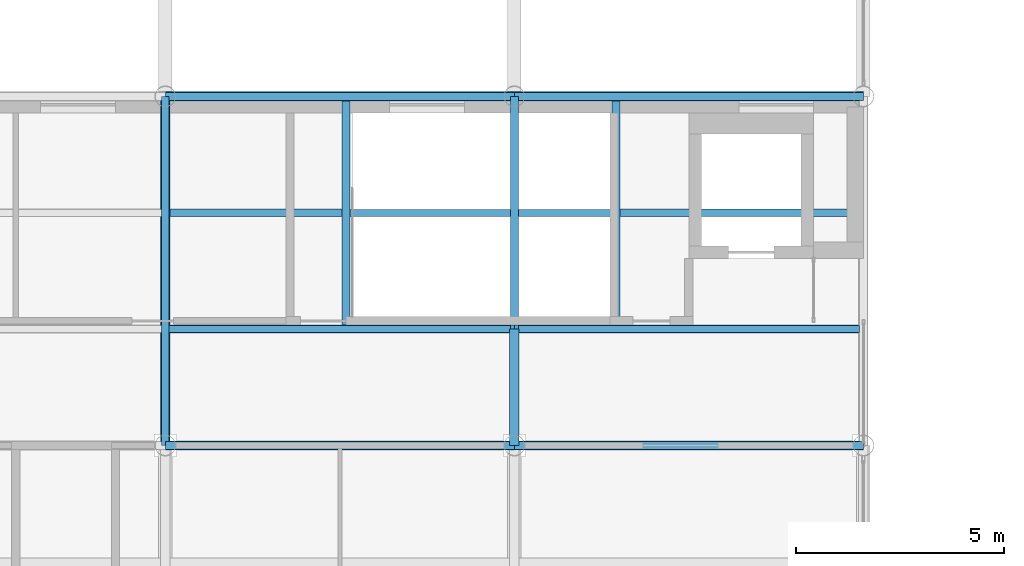
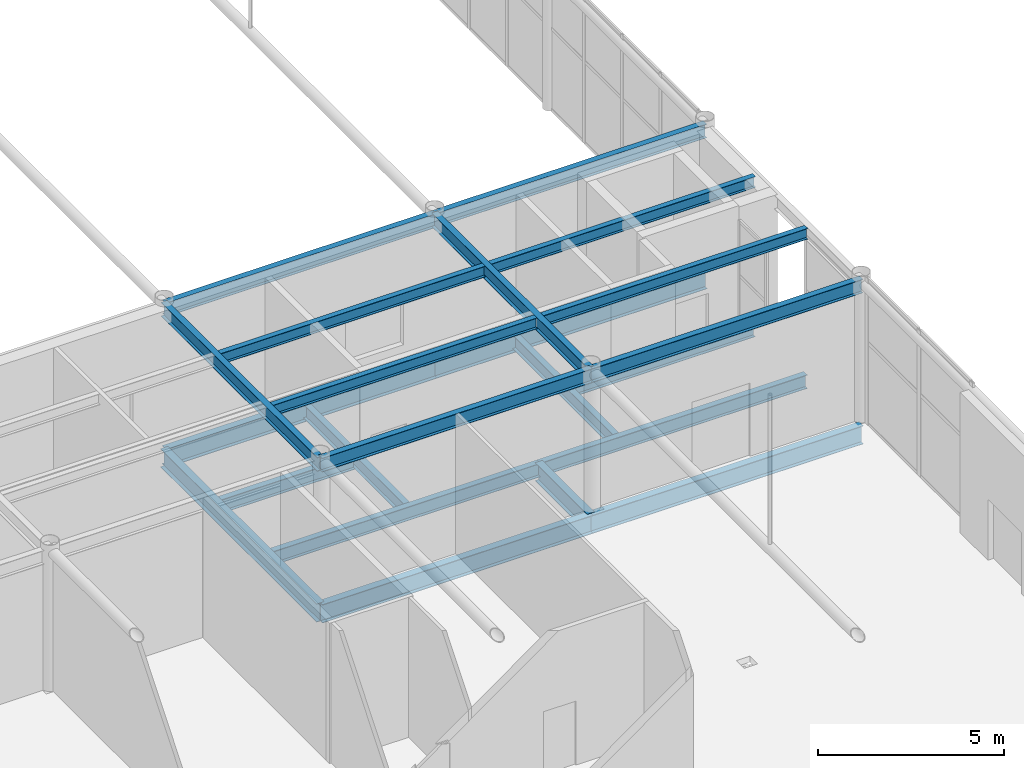
# One storey, part 96 of 167: 22 beams.
"""IFC4 building model written with IfcOpenShell, lengths in metres."""

from ifc_helpers import new_model, si_unit, direction, frame, origin, origin_2d, place, context, subcontext, project, spatial, i_section, extrude, material, material_profile, profile_set, type_object, element, save


model = new_model("IFC4")

# Units and contexts
model_context = context("Model", 3, precision=1e-05, world=origin(), true_north=direction((0.0, 1.0)))
body_context = subcontext(model_context, "Body", "Model", "MODEL_VIEW")
ifc_project = project(units=[si_unit("LENGTHUNIT", "METRE"), si_unit("AREAUNIT", "SQUARE_METRE"), si_unit("VOLUMEUNIT", "CUBIC_METRE"), si_unit("PLANEANGLEUNIT", "RADIAN"), si_unit("MASSUNIT", "GRAM", prefix="KILO")], contexts=[model_context])

# Site, building, storey
site_placement = place(None, origin())
site = spatial("IfcSite", under=ifc_project, at=site_placement, CompositionType="ELEMENT")
building_placement = place(site_placement, origin())
building = spatial("IfcBuilding", under=site, at=building_placement, Name="Catenary Quay Ferry Terminal", CompositionType="ELEMENT")
storey_placement = place(building_placement, frame((0.0, 0.0, 6.0)))
storey = spatial("IfcBuildingStorey", under=building, at=storey_placement, Name="L01", CompositionType="ELEMENT", Elevation=6.0)

# Beams
ifc_material_1 = material(Name="Steel S355", Category="steel")
ifc_material_profile_1 = material_profile(ifc_material_1, i_section(OverallWidth=0.18994140625, OverallDepth=0.453369140625, WebThickness=0.008544921875, FlangeThickness=0.0126953125, at=origin_2d()), Name="UB 457x191x67")
ifc_profile_set_1 = profile_set([ifc_material_profile_1], Name="Steel S355")
beam_type_1 = type_object("IfcBeamType", Name="B1 UB 457x191x67", PredefinedType="BEAM", material=ifc_profile_set_1)
for number, where, z_axis, x_axis, name in (
    (1, (75.60009765625, 100.800048828125, 4.373046875), (1.0, 0.0, 0.0), (0.0, 1.0, 0.0), "Beam B1-015"),
    (2, (84.0, 100.800048828125, 4.373046875), (1.0, 0.0, 0.0), (0.0, 1.0, 0.0), "Beam B1-016"),
    (3, (75.60009765625, 109.199951171875, 4.373046875), (1.0, 0.0, 0.0), (0.0, 1.0, 0.0), "Beam B1-023"),
    (4, (84.0, 109.199951171875, 4.373046875), (1.0, 0.0, 0.0), (0.0, 1.0, 0.0), "Beam B1-024"),
    (5, (75.60009765625, 100.800048828125, 4.373046875), (0.0, 1.0, 0.0), (-1.0, 0.0, 0.0), "Beam B1-059"),
    (6, (84.0, 100.800048828125, 4.373046875), (0.0, 1.0, 0.0), (-1.0, 0.0, 0.0), "Beam B1-060"),
):
    element("IfcBeam", number, at=place(storey_placement, frame(where, z_axis=z_axis, x_axis=x_axis)), inside=storey, type_object=beam_type_1, Name=name, PredefinedType="BEAM", context=body_context, shape_type="SweptSolid", body=[
        extrude(i_section(OverallWidth=0.18994140625, OverallDepth=0.453369140625, WebThickness=0.008544921875, FlangeThickness=0.0126953125, at=origin_2d()), origin(), (0.0, 0.0, 1.0), 8.39990234375),
    ])
for number, where, z_axis, x_axis, name in (
    (7, (79.949951171875, 103.695068359375, -0.427001953125), (0.0, 1.0, 0.0), (-1.0, 0.0, 0.0), "Beam B1-097"),
    (8, (86.449951171875, 103.695068359375, -0.427001953125), (0.0, 1.0, 0.0), (-1.0, 0.0, 0.0), "Beam B1-098"),
):
    element("IfcBeam", number, at=place(storey_placement, frame(where, z_axis=z_axis, x_axis=x_axis)), inside=storey, type_object=beam_type_1, Name=name, PredefinedType="BEAM", context=body_context, shape_type="SweptSolid", body=[
        extrude(i_section(OverallWidth=0.18994140625, OverallDepth=0.453369140625, WebThickness=0.008544921875, FlangeThickness=0.0126953125, at=origin_2d()), origin(), (0.0, 0.0, 1.0), 5.390869140625),
    ])
ifc_material_2 = material(Name="Steel S355", Category="steel")
ifc_material_profile_2 = material_profile(ifc_material_2, i_section(OverallWidth=0.2275390625, OverallDepth=0.6025390625, WebThickness=0.010498046875, FlangeThickness=0.014892578125, at=origin_2d()), Name="UB 610x229x101")
ifc_profile_set_2 = profile_set([ifc_material_profile_2], Name="Steel S355")
beam_type_2 = type_object("IfcBeamType", Name="B3 UB 610x229x101", PredefinedType="BEAM", material=ifc_profile_set_2)
for number, where, z_axis, x_axis, name in (
    (9, (75.60009765625, 100.800048828125, -0.5009765625), (1.0, 0.0, 0.0), (0.0, 1.0, 0.0), "Beam B3-019"),
    (10, (84.0, 100.800048828125, -0.5009765625), (1.0, 0.0, 0.0), (0.0, 1.0, 0.0), "Beam B3-020"),
    (11, (75.60009765625, 109.199951171875, -0.5009765625), (1.0, 0.0, 0.0), (0.0, 1.0, 0.0), "Beam B3-023"),
    (12, (84.0, 109.199951171875, -0.5009765625), (1.0, 0.0, 0.0), (0.0, 1.0, 0.0), "Beam B3-024"),
    (13, (75.60009765625, 100.800048828125, -0.5009765625), (0.0, 1.0, 0.0), (-1.0, 0.0, 0.0), "Beam B3-039"),
):
    element("IfcBeam", number, at=place(storey_placement, frame(where, z_axis=z_axis, x_axis=x_axis)), inside=storey, type_object=beam_type_2, Name=name, PredefinedType="BEAM", context=body_context, shape_type="SweptSolid", body=[
        extrude(i_section(OverallWidth=0.2275390625, OverallDepth=0.6025390625, WebThickness=0.010498046875, FlangeThickness=0.014892578125, at=origin_2d()), origin(), (0.0, 0.0, 1.0), 8.39990234375),
    ])
beam_1_placement = place(storey_placement, frame((84.0, 100.800048828125, -0.5009765625), z_axis=(0.0, 1.0, 0.0), x_axis=(-1.0, 0.0, 0.0)))
element("IfcBeam", 14, at=beam_1_placement, inside=storey, type_object=beam_type_2, Name="Beam B3-044", PredefinedType="BEAM", context=body_context, shape_type="SweptSolid", body=[
    extrude(i_section(OverallWidth=0.2275390625, OverallDepth=0.6025390625, WebThickness=0.010498046875, FlangeThickness=0.014892578125, at=origin_2d()), origin(), (0.0, 0.0, 1.0), 2.800048828125),
])
ifc_material_3 = material(Name="Steel S355", Category="steel")
ifc_material_profile_3 = material_profile(ifc_material_3, i_section(OverallWidth=0.18994140625, OverallDepth=0.449951171875, WebThickness=0.009521484375, FlangeThickness=0.0146484375, at=origin_2d()), Name="IPE 450")
ifc_profile_set_3 = profile_set([ifc_material_profile_3], Name="Steel S355")
beam_type_3 = type_object("IfcBeamType", Name="B4 IPE 450", PredefinedType="BEAM", material=ifc_profile_set_3)
for number, where, z_axis, x_axis, name in (
    (15, (75.714111328125, 103.60009765625, -0.425048828125), (1.0, 0.0, 0.0), (0.0, 1.0, 0.0), "Beam B4-031"),
    (16, (84.0, 103.60009765625, -0.425048828125), (1.0, 0.0, 0.0), (0.0, 1.0, 0.0), "Beam B4-032"),
):
    element("IfcBeam", number, at=place(storey_placement, frame(where, z_axis=z_axis, x_axis=x_axis)), inside=storey, type_object=beam_type_3, Name=name, PredefinedType="BEAM", context=body_context, shape_type="SweptSolid", body=[
        extrude(i_section(OverallWidth=0.18994140625, OverallDepth=0.449951171875, WebThickness=0.009521484375, FlangeThickness=0.0146484375, at=origin_2d()), origin(), (0.0, 0.0, 1.0), 8.285888671875),
    ])
beam_2_placement = place(storey_placement, frame((75.714111328125, 106.39990234375, -0.425048828125), z_axis=(1.0, 0.0, 0.0), x_axis=(0.0, 1.0, 0.0)))
element("IfcBeam", 17, at=beam_2_placement, inside=storey, type_object=beam_type_3, Name="Beam B4-035", PredefinedType="BEAM", context=body_context, shape_type="SweptSolid", body=[
    extrude(i_section(OverallWidth=0.18994140625, OverallDepth=0.449951171875, WebThickness=0.009521484375, FlangeThickness=0.0146484375, at=origin_2d()), origin(), (0.0, 0.0, 1.0), 4.140869140625),
])
beam_3_placement = place(storey_placement, frame((86.544921875, 106.39990234375, -0.425048828125), z_axis=(1.0, 0.0, 0.0), x_axis=(0.0, 1.0, 0.0)))
element("IfcBeam", 18, at=beam_3_placement, inside=storey, type_object=beam_type_3, Name="Beam B4-036", PredefinedType="BEAM", context=body_context, shape_type="SweptSolid", body=[
    extrude(i_section(OverallWidth=0.18994140625, OverallDepth=0.449951171875, WebThickness=0.009521484375, FlangeThickness=0.0146484375, at=origin_2d()), origin(), (0.0, 0.0, 1.0), 5.740966796875),
])
ifc_material_4 = material(Name="Steel S355", Category="steel")
ifc_material_profile_4 = material_profile(ifc_material_4, i_section(OverallWidth=0.169921875, OverallDepth=0.360107421875, WebThickness=0.008056640625, FlangeThickness=0.0126953125, at=origin_2d()), Name="IPE 360")
ifc_profile_set_4 = profile_set([ifc_material_profile_4], Name="Steel S355")
beam_type_4 = type_object("IfcBeamType", Name="B7 IPE 360", PredefinedType="BEAM", material=ifc_profile_set_4)
for number, where, z_axis, x_axis, name in (
    (19, (75.695068359375, 103.60009765625, 4.419921875), (1.0, 0.0, 0.0), (0.0, 1.0, 0.0), "Beam B7-007"),
    (20, (84.094970703125, 103.60009765625, 4.419921875), (1.0, 0.0, 0.0), (0.0, 1.0, 0.0), "Beam B7-008"),
    (21, (75.695068359375, 106.39990234375, 4.419921875), (1.0, 0.0, 0.0), (0.0, 1.0, 0.0), "Beam B7-015"),
    (22, (84.094970703125, 106.39990234375, 4.419921875), (1.0, 0.0, 0.0), (0.0, 1.0, 0.0), "Beam B7-016"),
):
    element("IfcBeam", number, at=place(storey_placement, frame(where, z_axis=z_axis, x_axis=x_axis)), inside=storey, type_object=beam_type_4, Name=name, PredefinedType="BEAM", context=body_context, shape_type="SweptSolid", body=[
        extrude(i_section(OverallWidth=0.169921875, OverallDepth=0.360107421875, WebThickness=0.008056640625, FlangeThickness=0.0126953125, at=origin_2d()), origin(), (0.0, 0.0, 1.0), 8.2099609375),
    ])

save(model, "model.ifc")
